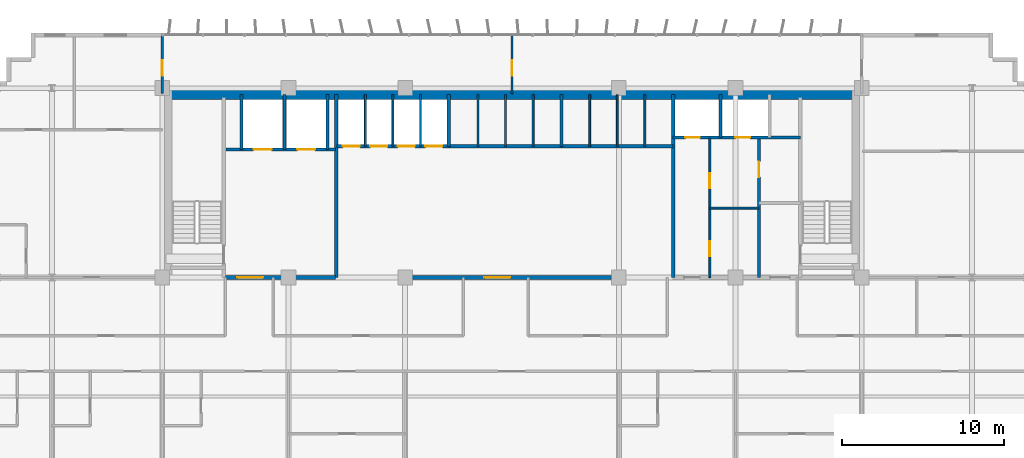
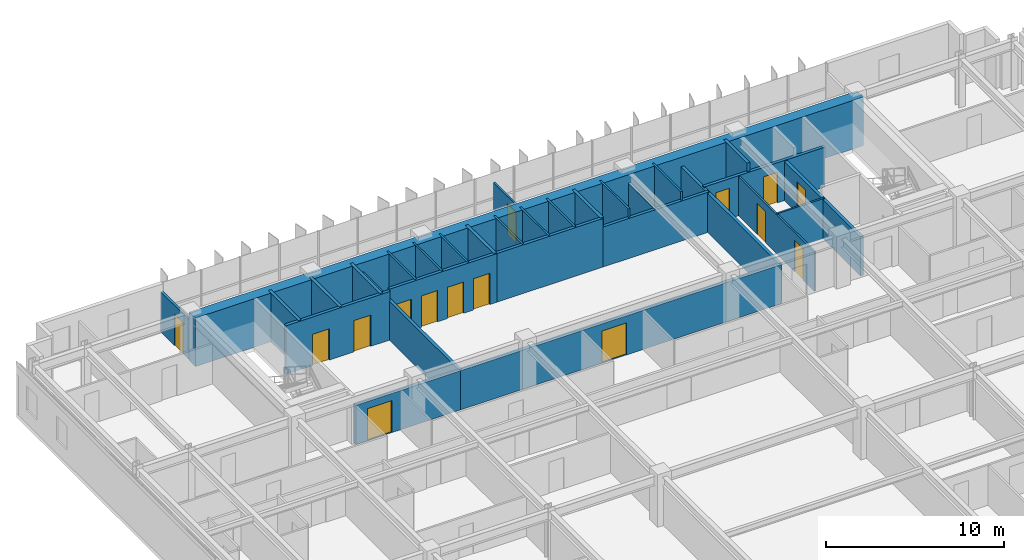
# One storey, part 21 of 25: 30 walls, 15 doors, 15 openings.
"""IFC4 building model written with IfcOpenShell, lengths in metres."""

from ifc_helpers import new_model, si_unit, direction, frame, frame_2d, origin, place, context, subcontext, project, spatial, rectangle, extrude, source, transform, mapped, material, layer, layer_set, type_object, element, fill, save


model = new_model("IFC4")

# Units and contexts
model_context = context("Model", 3, precision=1e-05, world=origin(), true_north=direction((0.0, 1.0)))
body_context = subcontext(model_context, "Body", "Model", "MODEL_VIEW")
ifc_project = project(units=[si_unit("LENGTHUNIT", "METRE"), si_unit("AREAUNIT", "SQUARE_METRE"), si_unit("VOLUMEUNIT", "CUBIC_METRE"), si_unit("PLANEANGLEUNIT", "RADIAN"), si_unit("MASSUNIT", "GRAM", prefix="KILO")], contexts=[model_context])

# Site, building, storey
site_placement = place(None, origin())
site = spatial("IfcSite", under=ifc_project, at=site_placement, CompositionType="ELEMENT")
building_placement = place(site_placement, origin())
building = spatial("IfcBuilding", under=site, at=building_placement, Name="Trelvane Seafront Commons", CompositionType="ELEMENT")
storey_placement = place(building_placement, frame((0.0, 0.0, 66.699951171875)))
storey = spatial("IfcBuildingStorey", under=building, at=storey_placement, Name="L17", CompositionType="ELEMENT", Elevation=66.699951171875)

# Wall, opening, door
ifc_material_1 = material(Name="Concrete C40/50", Category="concrete")
ifc_layer_1 = layer(ifc_material_1, 0.199951171875, Name="ARCH-WALL-FIRE200")
ifc_layer_set_1 = layer_set([ifc_layer_1], Name="Concrete C40/50")
wall_type_1 = type_object("IfcWallType", Name="ARCH-WALL-FIRE200", PredefinedType="PARTITIONING", material=ifc_layer_set_1)
wall_1_placement = place(storey_placement, frame((52.449951171875, 33.39990234375, 0.0), z_axis=(0.0, 0.0, 1.0), x_axis=(0.0, 1.0, 0.0)))
wall_1 = element("IfcWall", 1, at=wall_1_placement, inside=storey, type_object=wall_type_1, Name="W-L17-ST2V-W-033", PredefinedType="PARTITIONING", context=body_context, shape_type="SweptSolid", body=[
    extrude(rectangle(XDim=8.650146484375, YDim=0.199951171875, at=frame_2d((4.3251953125, 0.0))), origin(), (0.0, 0.0, 1.0), 2.68994140625),
])
opening_1_placement = place(wall_1_placement, frame((6.199951171875, 0.0, 0.0)))
opening_1 = element("IfcOpeningElement", 2, at=opening_1_placement, cuts=wall_1, Name="Opening FD-L17-13", PredefinedType="OPENING", context=body_context, shape_type="SweptSolid", body=[
    extrude(rectangle(XDim=0.949951171875, YDim=2.14990234375, at=frame_2d((0.47509765625, 1.074951171875))), frame((0.0, 0.10986328125, 0.0), z_axis=(0.0, -1.0, 0.0), x_axis=(1.0, 0.0, 0.0)), (0.0, 0.0, 1.0), 0.219970703125),
])
ifc_material_2 = material(Name="Powder-coated aluminium frame", Category="aluminium")
door_type_1 = type_object("IfcDoorType", Name="ARCH-DR-FD60-950", OperationType="NOTDEFINED", PredefinedType="DOOR", material=ifc_material_2)
shared_shape_1 = source(origin(), body_context, "Body", "SweptSolid", [
    extrude(rectangle(XDim=0.949951171875, YDim=2.14990234375, at=frame_2d((0.47509765625, 1.074951171875))), frame((0.0, 0.02490234375, 0.0), z_axis=(0.0, -1.0, 0.0), x_axis=(1.0, 0.0, 0.0)), (0.0, 0.0, 1.0), 0.050048828125),
])
door_1_placement = place(opening_1_placement, origin())
door_1 = element("IfcDoor", 3, at=door_1_placement, inside=storey, type_object=door_type_1, Name="L17 Cleaner Store Door", OperationType="SINGLE_SWING_LEFT", OverallHeight=2.14990234375, OverallWidth=0.949951171875, PredefinedType="DOOR", context=body_context, shape_type="MappedRepresentation", body=[
    mapped(shared_shape_1, transform((0.0, 0.0, 0.0), x_axis=(1.0, 0.0, 0.0), y_axis=(0.0, 1.0, 0.0), z_axis=(0.0, 0.0, 1.0), scale=1.0)),
])
fill(opening_1, door_1)

ifc_layer_2 = layer(ifc_material_1, 0.25, Name="ARCH-WALL-FIRE250")
ifc_layer_set_2 = layer_set([ifc_layer_2], Name="Concrete C40/50")
wall_type_2 = type_object("IfcWallType", Name="ARCH-WALL-FIRE250", PredefinedType="PARTITIONING", material=ifc_layer_set_2)
wall_2_placement = place(storey_placement, frame((19.5, 33.39990234375, 0.0), z_axis=(0.0, 0.0, 1.0), x_axis=(1.0, 0.0, 0.0)))
wall_2 = element("IfcWall", 4, at=wall_2_placement, inside=storey, type_object=wall_type_2, Name="W-L17-CS-FFL-013", PredefinedType="PARTITIONING", context=body_context, shape_type="SweptSolid", body=[
    extrude(rectangle(XDim=6.800048828125, YDim=0.25, at=frame_2d((3.39990234375, 0.0))), origin(), (0.0, 0.0, 1.0), 2.68994140625),
])
opening_2_placement = place(wall_2_placement, frame((0.75, 0.0, 0.0)))
opening_2 = element("IfcOpeningElement", 5, at=opening_2_placement, cuts=wall_2, Name="Opening FD-L17-05", PredefinedType="OPENING", context=body_context, shape_type="SweptSolid", body=[
    extrude(rectangle(XDim=1.60009765625, YDim=2.199951171875, at=frame_2d((0.800048828125, 1.10009765625))), frame((0.0, 0.135009765625, 0.0), z_axis=(0.0, -1.0, 0.0), x_axis=(1.0, 0.0, 0.0)), (0.0, 0.0, 1.0), 0.27001953125),
])
door_type_2 = type_object("IfcDoorType", Name="ARCH-DR-FD60-1600", OperationType="DOUBLE_DOOR_SINGLE_SWING", PredefinedType="DOOR", material=ifc_material_2)
shared_shape_2 = source(origin(), body_context, "Body", "SweptSolid", [
    extrude(rectangle(XDim=1.60009765625, YDim=2.199951171875, at=frame_2d((0.800048828125, 1.10009765625))), frame((0.0, 0.02490234375, 0.0), z_axis=(0.0, -1.0, 0.0), x_axis=(1.0, 0.0, 0.0)), (0.0, 0.0, 1.0), 0.050048828125),
])
door_2_placement = place(opening_2_placement, origin())
door_2 = element("IfcDoor", 6, at=door_2_placement, inside=storey, type_object=door_type_2, Name="L17 Firefighting Lift Lobby Double Fire Door", OperationType="DOUBLE_DOOR_SINGLE_SWING", OverallHeight=2.199951171875, OverallWidth=1.60009765625, PredefinedType="DOOR", context=body_context, shape_type="MappedRepresentation", body=[
    mapped(shared_shape_2, transform((0.0, 0.0, 0.0), x_axis=(1.0, 0.0, 0.0), y_axis=(0.0, 1.0, 0.0), z_axis=(0.0, 0.0, 1.0), scale=1.0)),
])
fill(opening_2, door_2)

wall_3_placement = place(storey_placement, frame((26.300048828125, 33.39990234375, 0.0), z_axis=(0.0, 0.0, 1.0), x_axis=(1.0, 0.0, 0.0)))
wall_3 = element("IfcWall", 7, at=wall_3_placement, inside=storey, type_object=wall_type_2, Name="W-L17-CS-PAX-029", PredefinedType="PARTITIONING", context=body_context, shape_type="SweptSolid", body=[
    extrude(rectangle(XDim=20.849853515625, YDim=0.25, at=frame_2d((10.4248046875, 0.0))), origin(), (0.0, 0.0, 1.0), 2.68994140625),
])
opening_3_placement = place(wall_3_placement, frame((9.199951171875, 0.0, 0.0)))
opening_3 = element("IfcOpeningElement", 8, at=opening_3_placement, cuts=wall_3, Name="Opening FD-L17-10", PredefinedType="OPENING", context=body_context, shape_type="SweptSolid", body=[
    extrude(rectangle(XDim=1.60009765625, YDim=2.199951171875, at=frame_2d((0.800048828125, 1.10009765625))), frame((0.0, 0.135009765625, 0.0), z_axis=(0.0, -1.0, 0.0), x_axis=(1.0, 0.0, 0.0)), (0.0, 0.0, 1.0), 0.27001953125),
])
door_3_placement = place(opening_3_placement, origin())
door_3 = element("IfcDoor", 9, at=door_3_placement, inside=storey, type_object=door_type_2, Name="L17 Passenger Lift Lobby Double Door", OperationType="DOUBLE_DOOR_SINGLE_SWING", OverallHeight=2.199951171875, OverallWidth=1.60009765625, PredefinedType="DOOR", context=body_context, shape_type="MappedRepresentation", body=[
    mapped(shared_shape_2, transform((0.0, 0.0, 0.0), x_axis=(1.0, 0.0, 0.0), y_axis=(0.0, 1.0, 0.0), z_axis=(0.0, 0.0, 1.0), scale=1.0)),
])
fill(opening_3, door_3)

# Walls
ifc_material_3 = material(Name="Gypsum Drywall Acoustic Partition")
ifc_layer_3 = layer(ifc_material_3, 0.1201171875, Name="ARCH-WALL-PART120")
ifc_layer_set_3 = layer_set([ifc_layer_3], Name="Gypsum Drywall Acoustic Partition")
wall_type_3 = type_object("IfcWallType", Name="ARCH-WALL-PART120", PredefinedType="PARTITIONING", material=ifc_layer_set_3)
for number, where, z_axis, x_axis, name in (
    (10, (28.14990234375, 41.5, 0.0), (0.0, 0.0, 1.0), (0.0, 1.0, 0.0), "W-L17-PL-DIV1-016"),
    (11, (29.85009765625, 41.5, 0.0), (0.0, 0.0, 1.0), (0.0, 1.0, 0.0), "W-L17-PL-DIV2-017"),
    (12, (31.550048828125, 41.5, 0.0), (0.0, 0.0, 1.0), (0.0, 1.0, 0.0), "W-L17-PL-DIV3-018"),
    (13, (35.10009765625, 41.5, 0.0), (0.0, 0.0, 1.0), (0.0, 1.0, 0.0), "W-L17-PM-DIV1-020"),
    (14, (36.800048828125, 41.5, 0.0), (0.0, 0.0, 1.0), (0.0, 1.0, 0.0), "W-L17-PM-DIV2-021"),
    (15, (38.5, 41.5, 0.0), (0.0, 0.0, 1.0), (0.0, 1.0, 0.0), "W-L17-PM-DIV3-022"),
    (16, (42.0, 41.5, 0.0), (0.0, 0.0, 1.0), (0.0, 1.0, 0.0), "W-L17-PH-DIV1-025"),
):
    element("IfcWall", number, at=place(storey_placement, frame(where, z_axis=z_axis, x_axis=x_axis)), inside=storey, type_object=wall_type_3, Name=name, PredefinedType="PARTITIONING", context=body_context, shape_type="SweptSolid", body=[
        extrude(rectangle(XDim=3.199951171875, YDim=0.1201171875, at=frame_2d((1.60009765625, 0.0))), origin(), (0.0, 0.0, 1.0), 3.340087890625),
    ])
wall_4_placement = place(storey_placement, frame((43.699951171875, 41.5, 0.0), z_axis=(0.0, 0.0, 1.0), x_axis=(0.0, 1.0, 0.0)))
element("IfcWall", 17, at=wall_4_placement, inside=storey, type_object=wall_type_3, Name="W-L17-PH-DIV2-026", PredefinedType="PARTITIONING", context=body_context, shape_type="SweptSolid", body=[
    extrude(rectangle(XDim=3.199951171875, YDim=0.1201171875, at=frame_2d((1.60009765625, 0.0))), origin(), (0.0, 0.0, 1.0), 2.751953125),
])
wall_5_placement = place(storey_placement, frame((45.39990234375, 41.5, 0.0), z_axis=(0.0, 0.0, 1.0), x_axis=(0.0, 1.0, 0.0)))
element("IfcWall", 18, at=wall_5_placement, inside=storey, type_object=wall_type_3, Name="W-L17-PH-DIV3-027", PredefinedType="PARTITIONING", context=body_context, shape_type="SweptSolid", body=[
    extrude(rectangle(XDim=3.199951171875, YDim=0.1201171875, at=frame_2d((1.60009765625, 0.0))), origin(), (0.0, 0.0, 1.0), 3.340087890625),
])

# Wall, openings, doors
wall_6_placement = place(storey_placement, frame((49.419921875, 33.39990234375, 0.0), z_axis=(0.0, 0.0, 1.0), x_axis=(0.0, 1.0, 0.0)))
wall_6 = element("IfcWall", 19, at=wall_6_placement, inside=storey, type_object=wall_type_3, Name="W-L17-CYC0-V-035", PredefinedType="PARTITIONING", context=body_context, shape_type="SweptSolid", body=[
    extrude(rectangle(XDim=8.60009765625, YDim=0.1201171875, at=frame_2d((4.300048828125, 0.0))), origin(), (0.0, 0.0, 1.0), 2.68994140625),
])
opening_4_placement = place(wall_6_placement, frame((1.300048828125, 0.0, 0.0)))
opening_4 = element("IfcOpeningElement", 20, at=opening_4_placement, cuts=wall_6, Name="Opening D-L17-14", PredefinedType="OPENING", context=body_context, shape_type="SweptSolid", body=[
    extrude(rectangle(XDim=0.949951171875, YDim=2.14990234375, at=frame_2d((0.47509765625, 1.074951171875))), frame((0.0, 0.070068359375, 0.0), z_axis=(0.0, -1.0, 0.0), x_axis=(1.0, 0.0, 0.0)), (0.0, 0.0, 1.0), 0.14013671875),
])
opening_5_placement = place(wall_6_placement, frame((5.5, 0.0, 0.0)))
opening_5 = element("IfcOpeningElement", 21, at=opening_5_placement, cuts=wall_6, Name="Opening D-L17-15", PredefinedType="OPENING", context=body_context, shape_type="SweptSolid", body=[
    extrude(rectangle(XDim=0.949951171875, YDim=2.14990234375, at=frame_2d((0.47509765625, 1.074951171875))), frame((0.0, 0.070068359375, 0.0), z_axis=(0.0, -1.0, 0.0), x_axis=(1.0, 0.0, 0.0)), (0.0, 0.0, 1.0), 0.14013671875),
])
ifc_material_4 = material(Name="Acoustic timber door leaf", Category="wood")
door_type_3 = type_object("IfcDoorType", Name="ARCH-DR-INT950", OperationType="NOTDEFINED", PredefinedType="DOOR", material=ifc_material_4)
door_4_placement = place(opening_4_placement, origin())
door_4 = element("IfcDoor", 22, at=door_4_placement, inside=storey, type_object=door_type_3, Name="L17 Accessible WC Door", OperationType="SINGLE_SWING_RIGHT", OverallHeight=2.14990234375, OverallWidth=0.949951171875, PredefinedType="DOOR", context=body_context, shape_type="MappedRepresentation", body=[
    mapped(shared_shape_1, transform((0.0, 0.0, 0.0), x_axis=(1.0, 0.0, 0.0), y_axis=(0.0, 1.0, 0.0), z_axis=(0.0, 0.0, 1.0), scale=1.0)),
])
fill(opening_4, door_4)
door_5_placement = place(opening_5_placement, origin())
door_5 = element("IfcDoor", 23, at=door_5_placement, inside=storey, type_object=door_type_3, Name="L17 Common WC Door", OperationType="SINGLE_SWING_LEFT", OverallHeight=2.14990234375, OverallWidth=0.949951171875, PredefinedType="DOOR", context=body_context, shape_type="MappedRepresentation", body=[
    mapped(shared_shape_1, transform((0.0, 0.0, 0.0), x_axis=(1.0, 0.0, 0.0), y_axis=(0.0, 1.0, 0.0), z_axis=(0.0, 0.0, 1.0), scale=1.0)),
])
fill(opening_5, door_5)

# Wall
wall_7_placement = place(storey_placement, frame((49.419921875, 37.679931640625, 0.0), z_axis=(0.0, 0.0, 1.0), x_axis=(1.0, 0.0, 0.0)))
element("IfcWall", 24, at=wall_7_placement, inside=storey, type_object=wall_type_3, Name="W-L17-CYC0-H-036", PredefinedType="PARTITIONING", context=body_context, shape_type="SweptSolid", body=[
    extrude(rectangle(XDim=3.030029296875, YDim=0.1201171875, at=frame_2d((1.51513671875, 0.0))), origin(), (0.0, 0.0, 1.0), 2.751953125),
])

# Wall, opening, door
wall_8_placement = place(storey_placement, frame((37.199951171875, 44.75, 0.0), z_axis=(0.0, 0.0, 1.0), x_axis=(0.0, 1.0, 0.0)))
wall_8 = element("IfcWall", 25, at=wall_8_placement, inside=storey, type_object=wall_type_3, Name="W-L17-N-MID-DV-057", PredefinedType="PARTITIONING", context=body_context, shape_type="SweptSolid", body=[
    extrude(rectangle(XDim=3.610107421875, YDim=0.1201171875, at=frame_2d((1.80517578125, 0.0))), origin(), (0.0, 0.0, 1.0), 2.68994140625),
])
opening_6_placement = place(wall_8_placement, frame((1.10009765625, 0.0, 0.0)))
opening_6 = element("IfcOpeningElement", 26, at=opening_6_placement, cuts=wall_8, Name="Opening D-L17-29", PredefinedType="OPENING", context=body_context, shape_type="SweptSolid", body=[
    extrude(rectangle(XDim=0.949951171875, YDim=2.14990234375, at=frame_2d((0.47509765625, 1.074951171875))), frame((0.0, 0.070068359375, 0.0), z_axis=(0.0, -1.0, 0.0), x_axis=(1.0, 0.0, 0.0)), (0.0, 0.0, 1.0), 0.14013671875),
])
door_6_placement = place(opening_6_placement, origin())
door_6 = element("IfcDoor", 27, at=door_6_placement, inside=storey, type_object=door_type_3, Name="L17 Door 29", OperationType="SINGLE_SWING_LEFT", OverallHeight=2.14990234375, OverallWidth=0.949951171875, PredefinedType="DOOR", context=body_context, shape_type="MappedRepresentation", body=[
    mapped(shared_shape_1, transform((0.0, 0.0, 0.0), x_axis=(1.0, 0.0, 0.0), y_axis=(0.0, 1.0, 0.0), z_axis=(0.0, 0.0, 1.0), scale=1.0)),
])
fill(opening_6, door_6)

ifc_layer_4 = layer(ifc_material_3, 0.14990234375, Name="ARCH-WALL-PART150")
ifc_layer_set_4 = layer_set([ifc_layer_4], Name="Gypsum Drywall Acoustic Partition")
wall_type_4 = type_object("IfcWallType", Name="ARCH-WALL-PART150", PredefinedType="PARTITIONING", material=ifc_layer_set_4)
wall_9_placement = place(storey_placement, frame((15.60009765625, 44.75, 0.0), z_axis=(0.0, 0.0, 1.0), x_axis=(0.0, 1.0, 0.0)))
wall_9 = element("IfcWall", 28, at=wall_9_placement, inside=storey, type_object=wall_type_4, Name="W-L17-N-LINK-W-058", PredefinedType="PARTITIONING", context=body_context, shape_type="SweptSolid", body=[
    extrude(rectangle(XDim=3.610107421875, YDim=0.14990234375, at=frame_2d((1.80517578125, 0.0))), origin(), (0.0, 0.0, 1.0), 2.751953125),
])
opening_7_placement = place(wall_9_placement, frame((1.10009765625, 0.0, 0.0)))
opening_7 = element("IfcOpeningElement", 29, at=opening_7_placement, cuts=wall_9, Name="Opening FD-L17-30", PredefinedType="OPENING", context=body_context, shape_type="SweptSolid", body=[
    extrude(rectangle(XDim=0.949951171875, YDim=2.14990234375, at=frame_2d((0.47509765625, 1.074951171875))), frame((0.0, 0.0849609375, 0.0), z_axis=(0.0, -1.0, 0.0), x_axis=(1.0, 0.0, 0.0)), (0.0, 0.0, 1.0), 0.169921875),
])
door_7_placement = place(opening_7_placement, origin())
door_7 = element("IfcDoor", 30, at=door_7_placement, inside=storey, type_object=door_type_1, Name="L17 Door 30", OperationType="SINGLE_SWING_RIGHT", OverallHeight=2.14990234375, OverallWidth=0.949951171875, PredefinedType="DOOR", context=body_context, shape_type="MappedRepresentation", body=[
    mapped(shared_shape_1, transform((0.0, 0.0, 0.0), x_axis=(1.0, 0.0, 0.0), y_axis=(0.0, 1.0, 0.0), z_axis=(0.0, 0.0, 1.0), scale=1.0)),
])
fill(opening_7, door_7)

# Wall, openings, doors
ifc_layer_5 = layer(ifc_material_1, 0.199951171875, Name="ARCH-WALL-SHAFT200")
ifc_layer_set_5 = layer_set([ifc_layer_5], Name="Concrete C40/50")
wall_type_5 = type_object("IfcWallType", Name="ARCH-WALL-SHAFT200", PredefinedType="SOLIDWALL", material=ifc_layer_set_5)
wall_10_placement = place(storey_placement, frame((19.550048828125, 41.300048828125, 0.0), z_axis=(0.0, 0.0, 1.0), x_axis=(1.0, 0.0, 0.0)))
wall_10 = element("IfcWall", 31, at=wall_10_placement, inside=storey, type_object=wall_type_5, Name="W-L17-FFL-FRONT-008", PredefinedType="SOLIDWALL", context=body_context, shape_type="SweptSolid", body=[
    extrude(rectangle(XDim=6.75, YDim=0.199951171875, at=frame_2d((3.375, 0.0))), origin(), (0.0, 0.0, 1.0), 3.340087890625),
])
opening_8_placement = place(wall_10_placement, frame((1.699951171875, 0.0, 0.0)))
opening_8 = element("IfcOpeningElement", 32, at=opening_8_placement, cuts=wall_10, Name="Opening LD-FF1-L17", PredefinedType="OPENING", context=body_context, shape_type="SweptSolid", body=[
    extrude(rectangle(XDim=1.10009765625, YDim=2.14990234375, at=frame_2d((0.550048828125, 1.074951171875))), frame((0.0, 0.10986328125, 0.0), z_axis=(0.0, -1.0, 0.0), x_axis=(1.0, 0.0, 0.0)), (0.0, 0.0, 1.0), 0.219970703125),
])
opening_9_placement = place(wall_10_placement, frame((4.39990234375, 0.0, 0.0)))
opening_9 = element("IfcOpeningElement", 33, at=opening_9_placement, cuts=wall_10, Name="Opening LD-FF2-L17", PredefinedType="OPENING", context=body_context, shape_type="SweptSolid", body=[
    extrude(rectangle(XDim=1.10009765625, YDim=2.14990234375, at=frame_2d((0.550048828125, 1.074951171875))), frame((0.0, 0.10986328125, 0.0), z_axis=(0.0, -1.0, 0.0), x_axis=(1.0, 0.0, 0.0)), (0.0, 0.0, 1.0), 0.219970703125),
])
ifc_material_5 = material(Name="Stainless steel balustrade", Category="steel")
door_type_4 = type_object("IfcDoorType", Name="ARCH-DR-LD1100", OperationType="DOUBLE_DOOR_SLIDING", PredefinedType="DOOR", material=ifc_material_5)
shared_shape_3 = source(origin(), body_context, "Body", "SweptSolid", [
    extrude(rectangle(XDim=1.10009765625, YDim=2.14990234375, at=frame_2d((0.550048828125, 1.074951171875))), frame((0.0, 0.02490234375, 0.0), z_axis=(0.0, -1.0, 0.0), x_axis=(1.0, 0.0, 0.0)), (0.0, 0.0, 1.0), 0.050048828125),
])
door_8_placement = place(opening_8_placement, origin())
door_8 = element("IfcDoor", 34, at=door_8_placement, inside=storey, type_object=door_type_4, Name="L17 Firefighting Lift FFL-1 Landing Door", OperationType="DOUBLE_DOOR_SLIDING", OverallHeight=2.14990234375, OverallWidth=1.10009765625, PredefinedType="DOOR", context=body_context, shape_type="MappedRepresentation", body=[
    mapped(shared_shape_3, transform((0.0, 0.0, 0.0), x_axis=(1.0, 0.0, 0.0), y_axis=(0.0, 1.0, 0.0), z_axis=(0.0, 0.0, 1.0), scale=1.0)),
])
fill(opening_8, door_8)
door_9_placement = place(opening_9_placement, origin())
door_9 = element("IfcDoor", 35, at=door_9_placement, inside=storey, type_object=door_type_4, Name="L17 Firefighting Lift FFL-2 Landing Door", OperationType="DOUBLE_DOOR_SLIDING", OverallHeight=2.14990234375, OverallWidth=1.10009765625, PredefinedType="DOOR", context=body_context, shape_type="MappedRepresentation", body=[
    mapped(shared_shape_3, transform((0.0, 0.0, 0.0), x_axis=(1.0, 0.0, 0.0), y_axis=(0.0, 1.0, 0.0), z_axis=(0.0, 0.0, 1.0), scale=1.0)),
])
fill(opening_9, door_9)

# Walls
for number, where, z_axis, x_axis, name in (
    (36, (20.5, 41.300048828125, 0.0), (0.0, 0.0, 1.0), (0.0, 1.0, 0.0), "W-L17-FFL-SH-W-009"),
    (37, (23.14990234375, 41.300048828125, 0.0), (0.0, 0.0, 1.0), (0.0, 1.0, 0.0), "W-L17-FFL-DIV-010"),
    (38, (25.800048828125, 41.300048828125, 0.0), (0.0, 0.0, 1.0), (0.0, 1.0, 0.0), "W-L17-FFL-SH-E-011"),
):
    element("IfcWall", number, at=place(storey_placement, frame(where, z_axis=z_axis, x_axis=x_axis)), inside=storey, type_object=wall_type_5, Name=name, PredefinedType="SOLIDWALL", context=body_context, shape_type="SweptSolid", body=[
        extrude(rectangle(XDim=3.39990234375, YDim=0.199951171875, at=frame_2d((1.699951171875, 0.0))), origin(), (0.0, 0.0, 1.0), 3.340087890625),
    ])
wall_11_placement = place(storey_placement, frame((26.35009765625, 33.39990234375, 0.0), z_axis=(0.0, 0.0, 1.0), x_axis=(0.0, 1.0, 0.0)))
element("IfcWall", 39, at=wall_11_placement, inside=storey, type_object=wall_type_5, Name="W-L17-FFL-EAST-012", PredefinedType="SOLIDWALL", context=body_context, shape_type="SweptSolid", body=[
    extrude(rectangle(XDim=11.300048828125, YDim=0.199951171875, at=frame_2d((5.64990234375, 0.0))), origin(), (0.0, 0.0, 1.0), 2.68994140625),
])

# Wall, openings, doors
wall_12_placement = place(storey_placement, frame((26.39990234375, 41.5, 0.0), z_axis=(0.0, 0.0, 1.0), x_axis=(1.0, 0.0, 0.0)))
wall_12 = element("IfcWall", 40, at=wall_12_placement, inside=storey, type_object=wall_type_5, Name="W-L17-PL-FRONT-014", PredefinedType="SOLIDWALL", context=body_context, shape_type="SweptSolid", body=[
    extrude(rectangle(XDim=6.9501953125, YDim=0.199951171875, at=frame_2d((3.47509765625, 0.0))), origin(), (0.0, 0.0, 1.0), 3.340087890625),
])
opening_10_placement = place(wall_12_placement, frame((0.35009765625, 0.0, 0.0)))
opening_10 = element("IfcOpeningElement", 41, at=opening_10_placement, cuts=wall_12, Name="Opening LD-PL1-L17", PredefinedType="OPENING", context=body_context, shape_type="SweptSolid", body=[
    extrude(rectangle(XDim=1.050048828125, YDim=2.14990234375, at=frame_2d((0.52490234375, 1.074951171875))), frame((0.0, 0.10986328125, 0.0), z_axis=(0.0, -1.0, 0.0), x_axis=(1.0, 0.0, 0.0)), (0.0, 0.0, 1.0), 0.219970703125),
])
opening_11_placement = place(wall_12_placement, frame((2.050048828125, 0.0, 0.0)))
opening_11 = element("IfcOpeningElement", 42, at=opening_11_placement, cuts=wall_12, Name="Opening LD-PL2-L17", PredefinedType="OPENING", context=body_context, shape_type="SweptSolid", body=[
    extrude(rectangle(XDim=1.050048828125, YDim=2.14990234375, at=frame_2d((0.52490234375, 1.074951171875))), frame((0.0, 0.10986328125, 0.0), z_axis=(0.0, -1.0, 0.0), x_axis=(1.0, 0.0, 0.0)), (0.0, 0.0, 1.0), 0.219970703125),
])
opening_12_placement = place(wall_12_placement, frame((3.75, 0.0, 0.0)))
opening_12 = element("IfcOpeningElement", 43, at=opening_12_placement, cuts=wall_12, Name="Opening LD-PL3-L17", PredefinedType="OPENING", context=body_context, shape_type="SweptSolid", body=[
    extrude(rectangle(XDim=1.050048828125, YDim=2.14990234375, at=frame_2d((0.52490234375, 1.074951171875))), frame((0.0, 0.10986328125, 0.0), z_axis=(0.0, -1.0, 0.0), x_axis=(1.0, 0.0, 0.0)), (0.0, 0.0, 1.0), 0.219970703125),
])
opening_13_placement = place(wall_12_placement, frame((5.449951171875, 0.0, 0.0)))
opening_13 = element("IfcOpeningElement", 44, at=opening_13_placement, cuts=wall_12, Name="Opening LD-PL4-L17", PredefinedType="OPENING", context=body_context, shape_type="SweptSolid", body=[
    extrude(rectangle(XDim=1.050048828125, YDim=2.14990234375, at=frame_2d((0.52490234375, 1.074951171875))), frame((0.0, 0.10986328125, 0.0), z_axis=(0.0, -1.0, 0.0), x_axis=(1.0, 0.0, 0.0)), (0.0, 0.0, 1.0), 0.219970703125),
])
door_type_5 = type_object("IfcDoorType", Name="ARCH-DR-LD1050", OperationType="DOUBLE_DOOR_SLIDING", PredefinedType="DOOR", material=ifc_material_5)
shared_shape_4 = source(origin(), body_context, "Body", "SweptSolid", [
    extrude(rectangle(XDim=1.050048828125, YDim=2.14990234375, at=frame_2d((0.52490234375, 1.074951171875))), frame((0.0, 0.02490234375, 0.0), z_axis=(0.0, -1.0, 0.0), x_axis=(1.0, 0.0, 0.0)), (0.0, 0.0, 1.0), 0.050048828125),
])
door_10_placement = place(opening_10_placement, origin())
door_10 = element("IfcDoor", 45, at=door_10_placement, inside=storey, type_object=door_type_5, Name="L17 Passenger Lift PL-1 Landing Door", OperationType="DOUBLE_DOOR_SLIDING", OverallHeight=2.14990234375, OverallWidth=1.050048828125, PredefinedType="DOOR", context=body_context, shape_type="MappedRepresentation", body=[
    mapped(shared_shape_4, transform((0.0, 0.0, 0.0), x_axis=(1.0, 0.0, 0.0), y_axis=(0.0, 1.0, 0.0), z_axis=(0.0, 0.0, 1.0), scale=1.0)),
])
fill(opening_10, door_10)
door_11_placement = place(opening_11_placement, origin())
door_11 = element("IfcDoor", 46, at=door_11_placement, inside=storey, type_object=door_type_5, Name="L17 Passenger Lift PL-2 Landing Door", OperationType="DOUBLE_DOOR_SLIDING", OverallHeight=2.14990234375, OverallWidth=1.050048828125, PredefinedType="DOOR", context=body_context, shape_type="MappedRepresentation", body=[
    mapped(shared_shape_4, transform((0.0, 0.0, 0.0), x_axis=(1.0, 0.0, 0.0), y_axis=(0.0, 1.0, 0.0), z_axis=(0.0, 0.0, 1.0), scale=1.0)),
])
fill(opening_11, door_11)
door_12_placement = place(opening_12_placement, origin())
door_12 = element("IfcDoor", 47, at=door_12_placement, inside=storey, type_object=door_type_5, Name="L17 Passenger Lift PL-3 Landing Door", OperationType="DOUBLE_DOOR_SLIDING", OverallHeight=2.14990234375, OverallWidth=1.050048828125, PredefinedType="DOOR", context=body_context, shape_type="MappedRepresentation", body=[
    mapped(shared_shape_4, transform((0.0, 0.0, 0.0), x_axis=(1.0, 0.0, 0.0), y_axis=(0.0, 1.0, 0.0), z_axis=(0.0, 0.0, 1.0), scale=1.0)),
])
fill(opening_12, door_12)
door_13_placement = place(opening_13_placement, origin())
door_13 = element("IfcDoor", 48, at=door_13_placement, inside=storey, type_object=door_type_5, Name="L17 Passenger Lift PL-4 Landing Door", OperationType="DOUBLE_DOOR_SLIDING", OverallHeight=2.14990234375, OverallWidth=1.050048828125, PredefinedType="DOOR", context=body_context, shape_type="MappedRepresentation", body=[
    mapped(shared_shape_4, transform((0.0, 0.0, 0.0), x_axis=(1.0, 0.0, 0.0), y_axis=(0.0, 1.0, 0.0), z_axis=(0.0, 0.0, 1.0), scale=1.0)),
])
fill(opening_13, door_13)

# Walls
wall_13_placement = place(storey_placement, frame((33.300048828125, 41.5, 0.0), z_axis=(0.0, 0.0, 1.0), x_axis=(0.0, 1.0, 0.0)))
element("IfcWall", 49, at=wall_13_placement, inside=storey, type_object=wall_type_5, Name="W-L17-PL-EAST-SH-015", PredefinedType="SOLIDWALL", context=body_context, shape_type="SweptSolid", body=[
    extrude(rectangle(XDim=3.199951171875, YDim=0.199951171875, at=frame_2d((1.60009765625, 0.0))), origin(), (0.0, 0.0, 1.0), 3.340087890625),
])
wall_14_placement = place(storey_placement, frame((33.35009765625, 41.5, 0.0), z_axis=(0.0, 0.0, 1.0), x_axis=(1.0, 0.0, 0.0)))
element("IfcWall", 50, at=wall_14_placement, inside=storey, type_object=wall_type_5, Name="W-L17-PM-FRONT-019", PredefinedType="SOLIDWALL", context=body_context, shape_type="SweptSolid", body=[
    extrude(rectangle(XDim=6.89990234375, YDim=0.199951171875, at=frame_2d((3.449951171875, 0.0))), origin(), (0.0, 0.0, 1.0), 3.340087890625),
])
wall_15_placement = place(storey_placement, frame((40.25, 41.5, 0.0), z_axis=(0.0, 0.0, 1.0), x_axis=(1.0, 0.0, 0.0)))
element("IfcWall", 51, at=wall_15_placement, inside=storey, type_object=wall_type_5, Name="W-L17-PH-FRONT-023", PredefinedType="SOLIDWALL", context=body_context, shape_type="SweptSolid", body=[
    extrude(rectangle(XDim=6.89990234375, YDim=0.199951171875, at=frame_2d((3.449951171875, 0.0))), origin(), (0.0, 0.0, 1.0), 2.751953125),
])
wall_16_placement = place(storey_placement, frame((40.25, 41.5, 0.0), z_axis=(0.0, 0.0, 1.0), x_axis=(0.0, 1.0, 0.0)))
element("IfcWall", 52, at=wall_16_placement, inside=storey, type_object=wall_type_5, Name="W-L17-PH-WEST-SH-024", PredefinedType="SOLIDWALL", context=body_context, shape_type="SweptSolid", body=[
    extrude(rectangle(XDim=3.199951171875, YDim=0.199951171875, at=frame_2d((1.60009765625, 0.0))), origin(), (0.0, 0.0, 1.0), 3.340087890625),
])
wall_17_placement = place(storey_placement, frame((47.14990234375, 33.39990234375, 0.0), z_axis=(0.0, 0.0, 1.0), x_axis=(0.0, 1.0, 0.0)))
element("IfcWall", 53, at=wall_17_placement, inside=storey, type_object=wall_type_5, Name="W-L17-PH-EAST-028", PredefinedType="SOLIDWALL", context=body_context, shape_type="SweptSolid", body=[
    extrude(rectangle(XDim=11.300048828125, YDim=0.199951171875, at=frame_2d((5.64990234375, 0.0))), origin(), (0.0, 0.0, 1.0), 2.68994140625),
])

# Wall, openings, doors
wall_18_placement = place(storey_placement, frame((47.14990234375, 42.050048828125, 0.0), z_axis=(0.0, 0.0, 1.0), x_axis=(1.0, 0.0, 0.0)))
wall_18 = element("IfcWall", 54, at=wall_18_placement, inside=storey, type_object=wall_type_5, Name="W-L17-RSR-S-030", PredefinedType="SOLIDWALL", context=body_context, shape_type="SweptSolid", body=[
    extrude(rectangle(XDim=7.85009765625, YDim=0.199951171875, at=frame_2d((3.925048828125, 0.0))), origin(), (0.0, 0.0, 1.0), 2.751953125),
])
opening_14_placement = place(wall_18_placement, frame((0.75, 0.0, 0.0)))
opening_14 = element("IfcOpeningElement", 55, at=opening_14_placement, cuts=wall_18, Name="Opening FD-L17-11", PredefinedType="OPENING", context=body_context, shape_type="SweptSolid", body=[
    extrude(rectangle(XDim=0.89990234375, YDim=2.10009765625, at=frame_2d((0.449951171875, 1.050048828125))), frame((0.0, 0.10986328125, 0.0), z_axis=(0.0, -1.0, 0.0), x_axis=(1.0, 0.0, 0.0)), (0.0, 0.0, 1.0), 0.219970703125),
])
opening_15_placement = place(wall_18_placement, frame((3.85009765625, 0.0, 0.0)))
opening_15 = element("IfcOpeningElement", 56, at=opening_15_placement, cuts=wall_18, Name="Opening FD-L17-12", PredefinedType="OPENING", context=body_context, shape_type="SweptSolid", body=[
    extrude(rectangle(XDim=0.89990234375, YDim=2.10009765625, at=frame_2d((0.449951171875, 1.050048828125))), frame((0.0, 0.10986328125, 0.0), z_axis=(0.0, -1.0, 0.0), x_axis=(1.0, 0.0, 0.0)), (0.0, 0.0, 1.0), 0.219970703125),
])
door_type_6 = type_object("IfcDoorType", Name="ARCH-DR-FD60-900", OperationType="NOTDEFINED", PredefinedType="DOOR", material=ifc_material_2)
shared_shape_5 = source(origin(), body_context, "Body", "SweptSolid", [
    extrude(rectangle(XDim=0.89990234375, YDim=2.10009765625, at=frame_2d((0.449951171875, 1.050048828125))), frame((0.0, 0.02490234375, 0.0), z_axis=(0.0, -1.0, 0.0), x_axis=(1.0, 0.0, 0.0)), (0.0, 0.0, 1.0), 0.050048828125),
])
door_14_placement = place(opening_14_placement, origin())
door_14 = element("IfcDoor", 57, at=door_14_placement, inside=storey, type_object=door_type_6, Name="L17 Electrical Riser Access Door", OperationType="SINGLE_SWING_LEFT", OverallHeight=2.10009765625, OverallWidth=0.89990234375, PredefinedType="DOOR", context=body_context, shape_type="MappedRepresentation", body=[
    mapped(shared_shape_5, transform((0.0, 0.0, 0.0), x_axis=(1.0, 0.0, 0.0), y_axis=(0.0, 1.0, 0.0), z_axis=(0.0, 0.0, 1.0), scale=1.0)),
])
fill(opening_14, door_14)
door_15_placement = place(opening_15_placement, origin())
door_15 = element("IfcDoor", 58, at=door_15_placement, inside=storey, type_object=door_type_6, Name="L17 Mechanical Riser Access Door", OperationType="SINGLE_SWING_RIGHT", OverallHeight=2.10009765625, OverallWidth=0.89990234375, PredefinedType="DOOR", context=body_context, shape_type="MappedRepresentation", body=[
    mapped(shared_shape_5, transform((0.0, 0.0, 0.0), x_axis=(1.0, 0.0, 0.0), y_axis=(0.0, 1.0, 0.0), z_axis=(0.0, 0.0, 1.0), scale=1.0)),
])
fill(opening_15, door_15)

# Walls
wall_19_placement = place(storey_placement, frame((50.080078125, 42.050048828125, 0.0), z_axis=(0.0, 0.0, 1.0), x_axis=(0.0, 1.0, 0.0)))
element("IfcWall", 59, at=wall_19_placement, inside=storey, type_object=wall_type_5, Name="W-L17-RSR-DIV-031", PredefinedType="SOLIDWALL", context=body_context, shape_type="SweptSolid", body=[
    extrude(rectangle(XDim=2.64990234375, YDim=0.199951171875, at=frame_2d((1.324951171875, 0.0))), origin(), (0.0, 0.0, 1.0), 3.340087890625),
])
ifc_material_6 = material(Name="Concrete C60/75", Category="concrete")
ifc_layer_6 = layer(ifc_material_6, 0.699951171875, Name="STR-WALL-CORE700")
ifc_layer_set_6 = layer_set([ifc_layer_6], Name="Concrete C60/75")
wall_type_6 = type_object("IfcWallType", Name="STR-WALL-CORE700", PredefinedType="SHEAR", material=ifc_layer_set_6)
wall_20_placement = place(storey_placement, frame((15.5, 44.75, 0.0), z_axis=(0.0, 0.0, 1.0), x_axis=(1.0, 0.0, 0.0)))
element("IfcWall", 60, at=wall_20_placement, inside=storey, type_object=wall_type_6, Name="W-L17-CN-ALL-001", PredefinedType="SHEAR", context=body_context, shape_type="SweptSolid", body=[
    extrude(rectangle(XDim=43.39990234375, YDim=0.699951171875, at=frame_2d((21.699951171875, 0.0))), origin(), (0.0, 0.0, 1.0), 3.340087890625),
])

save(model, "model.ifc")
